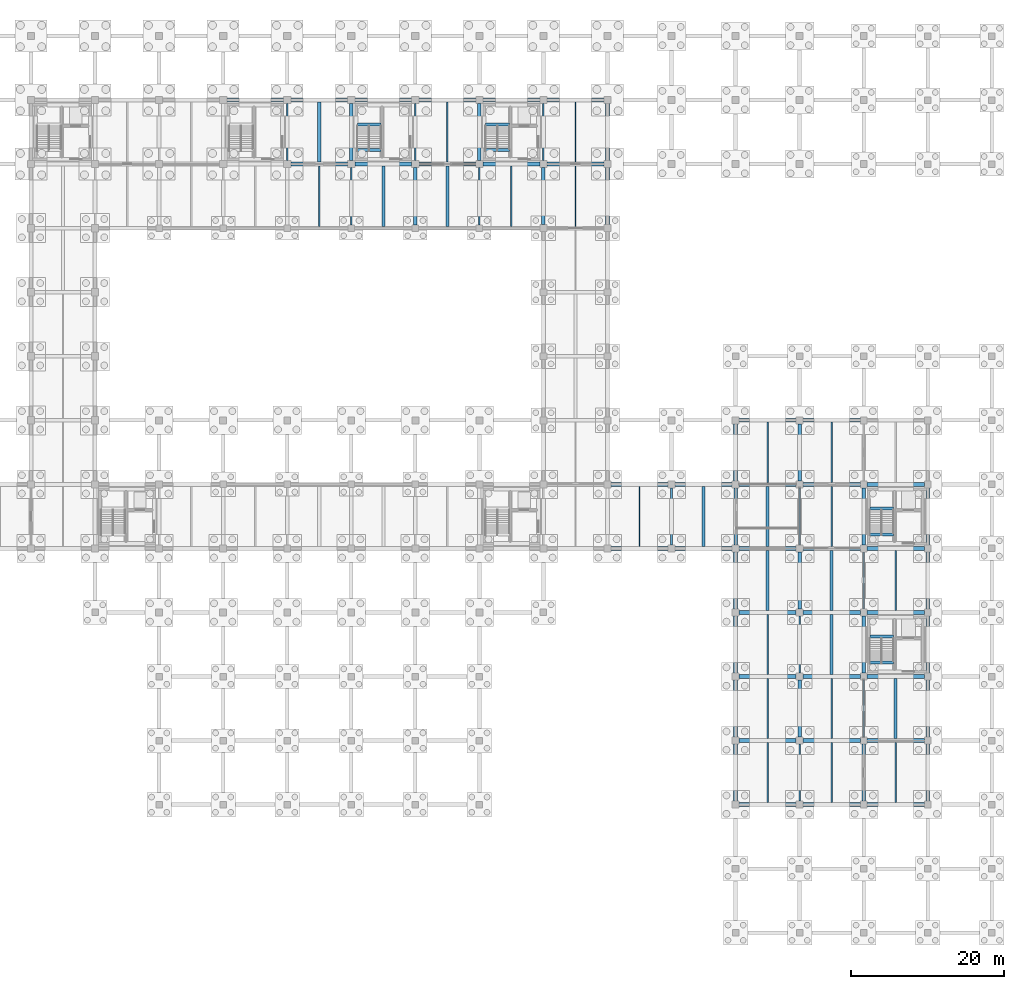
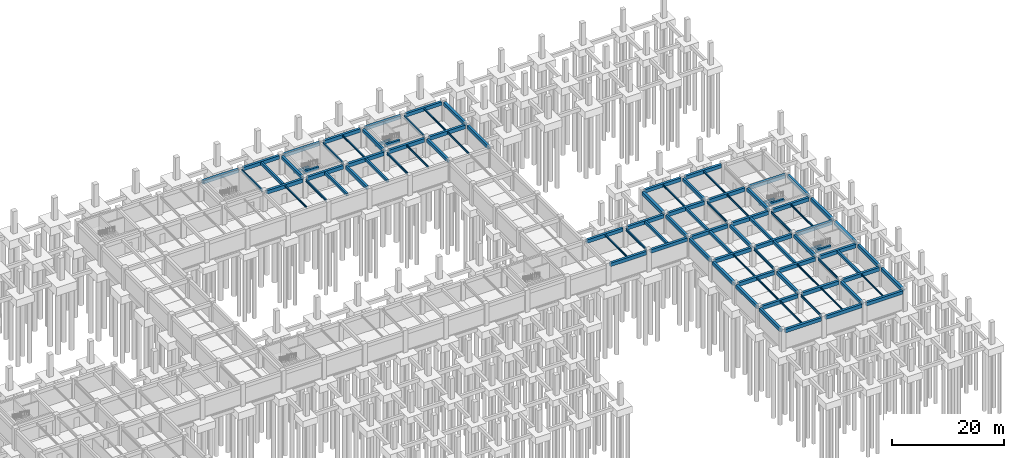
# One storey, part 15 of 29: 102 beams.
"""IFC4 building model written with IfcOpenShell, lengths in metres."""

from ifc_helpers import new_model, si_unit, direction, frame, origin, origin_2d, place, context, subcontext, project, spatial, rectangle, i_section, extrude, material, material_profile, profile_set, type_object, element, save


model = new_model("IFC4")

# Units and contexts
model_context = context("Model", 3, precision=1e-05, world=origin(), true_north=direction((0.0, 1.0)))
body_context = subcontext(model_context, "Body", "Model", "MODEL_VIEW")
ifc_project = project(units=[si_unit("LENGTHUNIT", "METRE"), si_unit("AREAUNIT", "SQUARE_METRE"), si_unit("VOLUMEUNIT", "CUBIC_METRE"), si_unit("PLANEANGLEUNIT", "RADIAN"), si_unit("MASSUNIT", "GRAM", prefix="KILO")], contexts=[model_context])

# Site, building, storey
site_placement = place(None, origin())
site = spatial("IfcSite", under=ifc_project, at=site_placement, CompositionType="ELEMENT")
building_placement = place(site_placement, origin())
building = spatial("IfcBuilding", under=site, at=building_placement, Name="Porcellanite Civic Hall", CompositionType="ELEMENT")
storey_placement = place(building_placement, frame((0.0, 0.0, -4.5)))
storey = spatial("IfcBuildingStorey", under=building, at=storey_placement, Name="B1", CompositionType="ELEMENT", Elevation=-4.5)

# Beams
ifc_material_1 = material(Name="Concrete N50 (50 MPa)", Category="concrete")
ifc_material_profile_1 = material_profile(ifc_material_1, rectangle(XDim=0.39990234375, YDim=0.550048828125, at=origin_2d()), Name="RC-400x550")
ifc_profile_set_1 = profile_set([ifc_material_profile_1], Name="Concrete N50 (50 MPa)")
beam_type_1 = type_object("IfcBeamType", Name="BM-RC550", PredefinedType="JOIST", material=ifc_profile_set_1)
for number, where, z_axis, x_axis, name in (
    (1, (105.0, 92.6494140625, 3.875), (0.0, 1.0, 0.0), (-1.0, 0.0, 0.0), "Secondary joist B1 13-12"),
    (2, (147.0, 50.6494140625, 3.875), (0.0, 1.0, 0.0), (-1.0, 0.0, 0.0), "Secondary joist B1 18-7"),
):
    element("IfcBeam", number, at=place(storey_placement, frame(where, z_axis=z_axis, x_axis=x_axis)), inside=storey, type_object=beam_type_1, Name=name, PredefinedType="JOIST", context=body_context, shape_type="SweptSolid", body=[
        extrude(rectangle(XDim=0.39990234375, YDim=0.550048828125, at=origin_2d()), origin(), (0.0, 0.0, 1.0), 7.901123046875),
    ])
beam_1_placement = place(storey_placement, frame((155.39990234375, 42.24951171875, 3.875), z_axis=(0.0, 1.0, 0.0), x_axis=(-1.0, 0.0, 0.0)))
element("IfcBeam", 3, at=beam_1_placement, inside=storey, type_object=beam_type_1, Name="Secondary joist B1 19-6", PredefinedType="JOIST", context=body_context, shape_type="SweptSolid", body=[
    extrude(rectangle(XDim=0.39990234375, YDim=0.550048828125, at=origin_2d()), origin(), (0.0, 0.0, 1.0), 7.90087890625),
])
for number, where, z_axis, x_axis, name in (
    (4, (110.010498046875, 106.02490234375, 1.885009765625), (1.0, 0.0, 0.0), (0.0, 1.0, 0.0), "Stair landing beam C4 B1"),
    (5, (110.010498046875, 102.64990234375, 3.875), (1.0, 0.0, 0.0), (0.0, 1.0, 0.0), "Stair header beam C4 B1"),
):
    element("IfcBeam", number, at=place(storey_placement, frame(where, z_axis=z_axis, x_axis=x_axis)), inside=storey, type_object=beam_type_1, Name=name, PredefinedType="JOIST", context=body_context, shape_type="SweptSolid", body=[
        extrude(rectangle(XDim=0.39990234375, YDim=0.550048828125, at=origin_2d()), origin(), (0.0, 0.0, 1.0), 3.10888671875),
    ])
for number, where, z_axis, x_axis, name in (
    (6, (160.410400390625, 38.824951171875, 1.885009765625), (1.0, 0.0, 0.0), (0.0, 1.0, 0.0), "Stair landing beam C7 B1"),
    (7, (160.410400390625, 35.449951171875, 3.875), (1.0, 0.0, 0.0), (0.0, 1.0, 0.0), "Stair header beam C7 B1"),
    (8, (160.410400390625, 55.625, 1.885009765625), (1.0, 0.0, 0.0), (0.0, 1.0, 0.0), "Stair landing beam C8 B1"),
    (9, (160.410400390625, 52.25, 3.875), (1.0, 0.0, 0.0), (0.0, 1.0, 0.0), "Stair header beam C8 B1"),
    (10, (93.21044921875, 106.02490234375, 1.885009765625), (1.0, 0.0, 0.0), (0.0, 1.0, 0.0), "Stair landing beam S10 B1"),
    (11, (93.21044921875, 102.64990234375, 3.875), (1.0, 0.0, 0.0), (0.0, 1.0, 0.0), "Stair header beam S10 B1"),
):
    element("IfcBeam", number, at=place(storey_placement, frame(where, z_axis=z_axis, x_axis=x_axis)), inside=storey, type_object=beam_type_1, Name=name, PredefinedType="JOIST", context=body_context, shape_type="SweptSolid", body=[
        extrude(rectangle(XDim=0.39990234375, YDim=0.550048828125, at=origin_2d()), origin(), (0.0, 0.0, 1.0), 3.109130859375),
    ])
ifc_material_2 = material(Name="Concrete N50 (50 MPa)", Category="concrete")
ifc_material_profile_2 = material_profile(ifc_material_2, rectangle(XDim=0.39990234375, YDim=0.60009765625, at=origin_2d()), Name="RC-400x600")
ifc_profile_set_2 = profile_set([ifc_material_profile_2], Name="Concrete N50 (50 MPa)")
beam_type_2 = type_object("IfcBeamType", Name="BM-RC600", PredefinedType="JOIST", material=ifc_profile_set_2)
beam_2_placement = place(storey_placement, frame((88.199951171875, 101.049560546875, 3.85009765625), z_axis=(0.0, 1.0, 0.0), x_axis=(-1.0, 0.0, 0.0)))
element("IfcBeam", 12, at=beam_2_placement, inside=storey, type_object=beam_type_2, Name="Secondary joist B1 11-13", PredefinedType="JOIST", context=body_context, shape_type="SweptSolid", body=[
    extrude(rectangle(XDim=0.39990234375, YDim=0.60009765625, at=origin_2d()), origin(), (0.0, 0.0, 1.0), 7.90087890625),
])
for number, where, z_axis, x_axis, name in (
    (13, (96.60009765625, 92.6494140625, 3.85009765625), (0.0, 1.0, 0.0), (-1.0, 0.0, 0.0), "Secondary joist B1 12-12"),
    (14, (138.60009765625, 50.6494140625, 3.85009765625), (0.0, 1.0, 0.0), (-1.0, 0.0, 0.0), "Secondary joist B1 17-7"),
):
    element("IfcBeam", number, at=place(storey_placement, frame(where, z_axis=z_axis, x_axis=x_axis)), inside=storey, type_object=beam_type_2, Name=name, PredefinedType="JOIST", context=body_context, shape_type="SweptSolid", body=[
        extrude(rectangle(XDim=0.39990234375, YDim=0.60009765625, at=origin_2d()), origin(), (0.0, 0.0, 1.0), 7.901123046875),
    ])
for number, where, z_axis, x_axis, name in (
    (15, (147.0, 42.24951171875, 3.85009765625), (0.0, 1.0, 0.0), (-1.0, 0.0, 0.0), "Secondary joist B1 18-6"),
    (16, (155.39990234375, 33.849609375, 3.85009765625), (0.0, 1.0, 0.0), (-1.0, 0.0, 0.0), "Secondary joist B1 19-5"),
):
    element("IfcBeam", number, at=place(storey_placement, frame(where, z_axis=z_axis, x_axis=x_axis)), inside=storey, type_object=beam_type_2, Name=name, PredefinedType="JOIST", context=body_context, shape_type="SweptSolid", body=[
        extrude(rectangle(XDim=0.39990234375, YDim=0.60009765625, at=origin_2d()), origin(), (0.0, 0.0, 1.0), 7.90087890625),
    ])
beam_3_placement = place(storey_placement, frame((163.800048828125, 25.449462890625, 3.85009765625), z_axis=(0.0, 1.0, 0.0), x_axis=(-1.0, 0.0, 0.0)))
element("IfcBeam", 17, at=beam_3_placement, inside=storey, type_object=beam_type_2, Name="Secondary joist B1 20-4", PredefinedType="JOIST", context=body_context, shape_type="SweptSolid", body=[
    extrude(rectangle(XDim=0.39990234375, YDim=0.60009765625, at=origin_2d()), origin(), (0.0, 0.0, 1.0), 7.901123046875),
])
ifc_material_3 = material(Name="Concrete N50 (50 MPa)", Category="concrete")
ifc_material_profile_3 = material_profile(ifc_material_3, rectangle(XDim=0.449951171875, YDim=0.699951171875, at=origin_2d()), Name="RC-450x700")
ifc_profile_set_3 = profile_set([ifc_material_profile_3], Name="Concrete N50 (50 MPa)")
beam_type_3 = type_object("IfcBeamType", Name="BM-RC700", PredefinedType="BEAM", material=ifc_profile_set_3)
beam_4_placement = place(storey_placement, frame((92.39990234375, 101.2744140625, 3.800048828125), z_axis=(0.0, 1.0, 0.0), x_axis=(-1.0, 0.0, 0.0)))
element("IfcBeam", 18, at=beam_4_placement, inside=storey, type_object=beam_type_3, Name="Beam Y B1 12-13", PredefinedType="BEAM", context=body_context, shape_type="SweptSolid", body=[
    extrude(rectangle(XDim=0.449951171875, YDim=0.699951171875, at=origin_2d()), origin(), (0.0, 0.0, 1.0), 7.451171875),
])
beam_5_placement = place(storey_placement, frame((100.800048828125, 92.824462890625, 3.800048828125), z_axis=(0.0, 1.0, 0.0), x_axis=(-1.0, 0.0, 0.0)))
element("IfcBeam", 19, at=beam_5_placement, inside=storey, type_object=beam_type_3, Name="Beam Y B1 13-12", PredefinedType="BEAM", context=body_context, shape_type="SweptSolid", body=[
    extrude(rectangle(XDim=0.449951171875, YDim=0.699951171875, at=origin_2d()), origin(), (0.0, 0.0, 1.0), 7.5009765625),
])
beam_6_placement = place(storey_placement, frame((109.199951171875, 101.2744140625, 3.800048828125), z_axis=(0.0, 1.0, 0.0), x_axis=(-1.0, 0.0, 0.0)))
element("IfcBeam", 20, at=beam_6_placement, inside=storey, type_object=beam_type_3, Name="Beam Y B1 14-13", PredefinedType="BEAM", context=body_context, shape_type="SweptSolid", body=[
    extrude(rectangle(XDim=0.449951171875, YDim=0.699951171875, at=origin_2d()), origin(), (0.0, 0.0, 1.0), 7.451171875),
])
beam_7_placement = place(storey_placement, frame((117.60009765625, 92.849609375, 3.800048828125), z_axis=(0.0, 1.0, 0.0), x_axis=(-1.0, 0.0, 0.0)))
element("IfcBeam", 21, at=beam_7_placement, inside=storey, type_object=beam_type_3, Name="Beam Y B1 15-12", PredefinedType="BEAM", context=body_context, shape_type="SweptSolid", body=[
    extrude(rectangle(XDim=0.449951171875, YDim=0.699951171875, at=origin_2d()), origin(), (0.0, 0.0, 1.0), 7.475830078125),
])
for number, where, z_axis, x_axis, name in (
    (22, (142.800048828125, 50.849609375, 3.800048828125), (0.0, 1.0, 0.0), (-1.0, 0.0, 0.0), "Beam Y B1 18-7"),
    (23, (151.199951171875, 25.6494140625, 3.800048828125), (0.0, 1.0, 0.0), (-1.0, 0.0, 0.0), "Beam Y B1 19-4"),
    (24, (151.199951171875, 42.449462890625, 3.800048828125), (0.0, 1.0, 0.0), (-1.0, 0.0, 0.0), "Beam Y B1 19-6"),
    (25, (151.199951171875, 59.24951171875, 3.800048828125), (0.0, 1.0, 0.0), (-1.0, 0.0, 0.0), "Beam Y B1 19-8"),
    (26, (159.60009765625, 17.24951171875, 3.800048828125), (0.0, 1.0, 0.0), (-1.0, 0.0, 0.0), "Beam Y B1 20-3"),
    (27, (159.60009765625, 34.049560546875, 3.800048828125), (0.0, 1.0, 0.0), (-1.0, 0.0, 0.0), "Beam Y B1 20-5"),
    (28, (159.60009765625, 50.849609375, 3.800048828125), (0.0, 1.0, 0.0), (-1.0, 0.0, 0.0), "Beam Y B1 20-7"),
):
    element("IfcBeam", number, at=place(storey_placement, frame(where, z_axis=z_axis, x_axis=x_axis)), inside=storey, type_object=beam_type_3, Name=name, PredefinedType="BEAM", context=body_context, shape_type="SweptSolid", body=[
        extrude(rectangle(XDim=0.449951171875, YDim=0.699951171875, at=origin_2d()), origin(), (0.0, 0.0, 1.0), 7.5009765625),
    ])
ifc_material_4 = material(Name="Concrete N50 (50 MPa)", Category="concrete")
ifc_material_profile_4 = material_profile(ifc_material_4, rectangle(XDim=0.5, YDim=0.75, at=origin_2d()), Name="RC-500x750")
ifc_profile_set_4 = profile_set([ifc_material_profile_4], Name="Concrete N50 (50 MPa)")
beam_type_4 = type_object("IfcBeamType", Name="BM-RC750", PredefinedType="SPANDREL", material=ifc_profile_set_4)
for number, where, z_axis, x_axis, name in (
    (29, (76.074462890625, 109.199951171875, 3.77490234375), (1.0, 0.0, 0.0), (0.0, 1.0, 0.0), "Beam X B1 10-14"),
    (30, (84.474609375, 109.199951171875, 3.77490234375), (1.0, 0.0, 0.0), (0.0, 1.0, 0.0), "Beam X B1 11-14"),
    (31, (92.87451171875, 109.199951171875, 3.77490234375), (1.0, 0.0, 0.0), (0.0, 1.0, 0.0), "Beam X B1 12-14"),
):
    element("IfcBeam", number, at=place(storey_placement, frame(where, z_axis=z_axis, x_axis=x_axis)), inside=storey, type_object=beam_type_4, Name=name, PredefinedType="SPANDREL", context=body_context, shape_type="SweptSolid", body=[
        extrude(rectangle(XDim=0.5, YDim=0.75, at=origin_2d()), origin(), (0.0, 0.0, 1.0), 7.450927734375),
    ])
beam_8_placement = place(storey_placement, frame((101.2744140625, 109.199951171875, 3.77490234375), z_axis=(1.0, 0.0, 0.0), x_axis=(0.0, 1.0, 0.0)))
element("IfcBeam", 32, at=beam_8_placement, inside=storey, type_object=beam_type_4, Name="Beam X B1 13-14", PredefinedType="SPANDREL", context=body_context, shape_type="SweptSolid", body=[
    extrude(rectangle(XDim=0.5, YDim=0.75, at=origin_2d()), origin(), (0.0, 0.0, 1.0), 7.451171875),
])
for number, where, z_axis, x_axis, name in (
    (33, (109.674560546875, 109.199951171875, 3.77490234375), (1.0, 0.0, 0.0), (0.0, 1.0, 0.0), "Beam X B1 14-14"),
    (34, (118.074462890625, 109.199951171875, 3.77490234375), (1.0, 0.0, 0.0), (0.0, 1.0, 0.0), "Beam X B1 15-14"),
):
    element("IfcBeam", number, at=place(storey_placement, frame(where, z_axis=z_axis, x_axis=x_axis)), inside=storey, type_object=beam_type_4, Name=name, PredefinedType="SPANDREL", context=body_context, shape_type="SweptSolid", body=[
        extrude(rectangle(XDim=0.5, YDim=0.75, at=origin_2d()), origin(), (0.0, 0.0, 1.0), 7.450927734375),
    ])
for number, where, z_axis, x_axis, name in (
    (35, (126.449462890625, 50.39990234375, 3.77490234375), (1.0, 0.0, 0.0), (0.0, 1.0, 0.0), "Beam X B1 16-7"),
    (36, (126.449462890625, 58.800048828125, 3.77490234375), (1.0, 0.0, 0.0), (0.0, 1.0, 0.0), "Beam X B1 16-8"),
    (37, (134.849609375, 50.39990234375, 3.77490234375), (1.0, 0.0, 0.0), (0.0, 1.0, 0.0), "Beam X B1 17-7"),
    (38, (134.849609375, 58.800048828125, 3.77490234375), (1.0, 0.0, 0.0), (0.0, 1.0, 0.0), "Beam X B1 17-8"),
    (39, (143.24951171875, 16.800048828125, 3.77490234375), (1.0, 0.0, 0.0), (0.0, 1.0, 0.0), "Beam X B1 18-3"),
    (40, (143.24951171875, 67.199951171875, 3.77490234375), (1.0, 0.0, 0.0), (0.0, 1.0, 0.0), "Beam X B1 18-9"),
    (41, (151.6494140625, 16.800048828125, 3.77490234375), (1.0, 0.0, 0.0), (0.0, 1.0, 0.0), "Beam X B1 19-3"),
    (42, (151.6494140625, 67.199951171875, 3.77490234375), (1.0, 0.0, 0.0), (0.0, 1.0, 0.0), "Beam X B1 19-9"),
    (43, (160.049560546875, 16.800048828125, 3.77490234375), (1.0, 0.0, 0.0), (0.0, 1.0, 0.0), "Beam X B1 20-3"),
):
    element("IfcBeam", number, at=place(storey_placement, frame(where, z_axis=z_axis, x_axis=x_axis)), inside=storey, type_object=beam_type_4, Name=name, PredefinedType="SPANDREL", context=body_context, shape_type="SweptSolid", body=[
        extrude(rectangle(XDim=0.5, YDim=0.75, at=origin_2d()), origin(), (0.0, 0.0, 1.0), 7.5009765625),
    ])
beam_9_placement = place(storey_placement, frame((126.0, 92.849609375, 3.77490234375), z_axis=(0.0, 1.0, 0.0), x_axis=(-1.0, 0.0, 0.0)))
element("IfcBeam", 44, at=beam_9_placement, inside=storey, type_object=beam_type_4, Name="Beam Y B1 16-12", PredefinedType="SPANDREL", context=body_context, shape_type="SweptSolid", body=[
    extrude(rectangle(XDim=0.5, YDim=0.75, at=origin_2d()), origin(), (0.0, 0.0, 1.0), 7.475830078125),
])
beam_10_placement = place(storey_placement, frame((126.0, 101.2744140625, 3.77490234375), z_axis=(0.0, 1.0, 0.0), x_axis=(-1.0, 0.0, 0.0)))
element("IfcBeam", 45, at=beam_10_placement, inside=storey, type_object=beam_type_4, Name="Beam Y B1 16-13", PredefinedType="SPANDREL", context=body_context, shape_type="SweptSolid", body=[
    extrude(rectangle(XDim=0.5, YDim=0.75, at=origin_2d()), origin(), (0.0, 0.0, 1.0), 7.451171875),
])
for number, where, z_axis, x_axis, name in (
    (46, (142.800048828125, 17.24951171875, 3.77490234375), (0.0, 1.0, 0.0), (-1.0, 0.0, 0.0), "Beam Y B1 18-3"),
    (47, (142.800048828125, 25.6494140625, 3.77490234375), (0.0, 1.0, 0.0), (-1.0, 0.0, 0.0), "Beam Y B1 18-4"),
    (48, (142.800048828125, 34.049560546875, 3.77490234375), (0.0, 1.0, 0.0), (-1.0, 0.0, 0.0), "Beam Y B1 18-5"),
    (49, (142.800048828125, 42.449462890625, 3.77490234375), (0.0, 1.0, 0.0), (-1.0, 0.0, 0.0), "Beam Y B1 18-6"),
    (50, (142.800048828125, 59.24951171875, 3.77490234375), (0.0, 1.0, 0.0), (-1.0, 0.0, 0.0), "Beam Y B1 18-8"),
    (51, (168.0, 17.24951171875, 3.77490234375), (0.0, 1.0, 0.0), (-1.0, 0.0, 0.0), "Beam Y B1 21-3"),
    (52, (168.0, 25.6494140625, 3.77490234375), (0.0, 1.0, 0.0), (-1.0, 0.0, 0.0), "Beam Y B1 21-4"),
    (53, (168.0, 34.049560546875, 3.77490234375), (0.0, 1.0, 0.0), (-1.0, 0.0, 0.0), "Beam Y B1 21-5"),
    (54, (168.0, 42.449462890625, 3.77490234375), (0.0, 1.0, 0.0), (-1.0, 0.0, 0.0), "Beam Y B1 21-6"),
    (55, (168.0, 50.849609375, 3.77490234375), (0.0, 1.0, 0.0), (-1.0, 0.0, 0.0), "Beam Y B1 21-7"),
):
    element("IfcBeam", number, at=place(storey_placement, frame(where, z_axis=z_axis, x_axis=x_axis)), inside=storey, type_object=beam_type_4, Name=name, PredefinedType="SPANDREL", context=body_context, shape_type="SweptSolid", body=[
        extrude(rectangle(XDim=0.5, YDim=0.75, at=origin_2d()), origin(), (0.0, 0.0, 1.0), 7.5009765625),
    ])
ifc_material_5 = material(Name="Concrete N50 (50 MPa)", Category="concrete")
ifc_material_profile_5 = material_profile(ifc_material_5, rectangle(XDim=0.5, YDim=0.800048828125, at=origin_2d()), Name="RC-500x800")
ifc_profile_set_5 = profile_set([ifc_material_profile_5], Name="Concrete N50 (50 MPa)")
beam_type_5 = type_object("IfcBeamType", Name="BM-RC800", PredefinedType="BEAM", material=ifc_profile_set_5)
for number, where, z_axis, x_axis, name in (
    (56, (84.474609375, 100.800048828125, 3.75), (1.0, 0.0, 0.0), (0.0, 1.0, 0.0), "Beam X B1 11-13"),
    (57, (92.87451171875, 100.800048828125, 3.75), (1.0, 0.0, 0.0), (0.0, 1.0, 0.0), "Beam X B1 12-13"),
):
    element("IfcBeam", number, at=place(storey_placement, frame(where, z_axis=z_axis, x_axis=x_axis)), inside=storey, type_object=beam_type_5, Name=name, PredefinedType="BEAM", context=body_context, shape_type="SweptSolid", body=[
        extrude(rectangle(XDim=0.5, YDim=0.800048828125, at=origin_2d()), origin(), (0.0, 0.0, 1.0), 7.450927734375),
    ])
beam_11_placement = place(storey_placement, frame((101.2744140625, 100.800048828125, 3.75), z_axis=(1.0, 0.0, 0.0), x_axis=(0.0, 1.0, 0.0)))
element("IfcBeam", 58, at=beam_11_placement, inside=storey, type_object=beam_type_5, Name="Beam X B1 13-13", PredefinedType="BEAM", context=body_context, shape_type="SweptSolid", body=[
    extrude(rectangle(XDim=0.5, YDim=0.800048828125, at=origin_2d()), origin(), (0.0, 0.0, 1.0), 7.451171875),
])
for number, where, z_axis, x_axis, name in (
    (59, (109.674560546875, 100.800048828125, 3.75), (1.0, 0.0, 0.0), (0.0, 1.0, 0.0), "Beam X B1 14-13"),
    (60, (118.074462890625, 100.800048828125, 3.75), (1.0, 0.0, 0.0), (0.0, 1.0, 0.0), "Beam X B1 15-13"),
):
    element("IfcBeam", number, at=place(storey_placement, frame(where, z_axis=z_axis, x_axis=x_axis)), inside=storey, type_object=beam_type_5, Name=name, PredefinedType="BEAM", context=body_context, shape_type="SweptSolid", body=[
        extrude(rectangle(XDim=0.5, YDim=0.800048828125, at=origin_2d()), origin(), (0.0, 0.0, 1.0), 7.450927734375),
    ])
for number, where, z_axis, x_axis, name in (
    (61, (143.24951171875, 25.199951171875, 3.75), (1.0, 0.0, 0.0), (0.0, 1.0, 0.0), "Beam X B1 18-4"),
    (62, (143.24951171875, 33.60009765625, 3.75), (1.0, 0.0, 0.0), (0.0, 1.0, 0.0), "Beam X B1 18-5"),
    (63, (143.24951171875, 42.0, 3.75), (1.0, 0.0, 0.0), (0.0, 1.0, 0.0), "Beam X B1 18-6"),
    (64, (143.24951171875, 50.39990234375, 3.75), (1.0, 0.0, 0.0), (0.0, 1.0, 0.0), "Beam X B1 18-7"),
    (65, (143.24951171875, 58.800048828125, 3.75), (1.0, 0.0, 0.0), (0.0, 1.0, 0.0), "Beam X B1 18-8"),
    (66, (151.6494140625, 25.199951171875, 3.75), (1.0, 0.0, 0.0), (0.0, 1.0, 0.0), "Beam X B1 19-4"),
    (67, (151.6494140625, 33.60009765625, 3.75), (1.0, 0.0, 0.0), (0.0, 1.0, 0.0), "Beam X B1 19-5"),
    (68, (151.6494140625, 42.0, 3.75), (1.0, 0.0, 0.0), (0.0, 1.0, 0.0), "Beam X B1 19-6"),
    (69, (151.6494140625, 50.39990234375, 3.75), (1.0, 0.0, 0.0), (0.0, 1.0, 0.0), "Beam X B1 19-7"),
    (70, (151.6494140625, 58.800048828125, 3.75), (1.0, 0.0, 0.0), (0.0, 1.0, 0.0), "Beam X B1 19-8"),
    (71, (160.049560546875, 25.199951171875, 3.75), (1.0, 0.0, 0.0), (0.0, 1.0, 0.0), "Beam X B1 20-4"),
    (72, (160.049560546875, 33.60009765625, 3.75), (1.0, 0.0, 0.0), (0.0, 1.0, 0.0), "Beam X B1 20-5"),
    (73, (160.049560546875, 42.0, 3.75), (1.0, 0.0, 0.0), (0.0, 1.0, 0.0), "Beam X B1 20-6"),
    (74, (160.049560546875, 50.39990234375, 3.75), (1.0, 0.0, 0.0), (0.0, 1.0, 0.0), "Beam X B1 20-7"),
    (75, (160.049560546875, 58.800048828125, 3.75), (1.0, 0.0, 0.0), (0.0, 1.0, 0.0), "Beam X B1 20-8"),
):
    element("IfcBeam", number, at=place(storey_placement, frame(where, z_axis=z_axis, x_axis=x_axis)), inside=storey, type_object=beam_type_5, Name=name, PredefinedType="BEAM", context=body_context, shape_type="SweptSolid", body=[
        extrude(rectangle(XDim=0.5, YDim=0.800048828125, at=origin_2d()), origin(), (0.0, 0.0, 1.0), 7.5009765625),
    ])
ifc_material_6 = material(Name="Steel Grade 350", Category="steel")
ifc_material_profile_6 = material_profile(ifc_material_6, i_section(OverallWidth=0.1708984375, OverallDepth=0.35595703125, WebThickness=0.00732421875, FlangeThickness=0.011474609375, FilletRadius=0.011474609375, at=origin_2d()), Name="360UB50.7")
ifc_profile_set_6 = profile_set([ifc_material_profile_6], Name="Steel Grade 350")
beam_type_6 = type_object("IfcBeamType", Name="JST-360UB51", PredefinedType="JOIST", material=ifc_profile_set_6)
for number, where, z_axis, x_axis, name in (
    (76, (88.199951171875, 92.6494140625, 3.971923828125), (0.0, 1.0, 0.0), (-1.0, 0.0, 0.0), "Secondary joist B1 11-12"),
    (77, (130.199951171875, 50.6494140625, 3.971923828125), (0.0, 1.0, 0.0), (-1.0, 0.0, 0.0), "Secondary joist B1 16-7"),
):
    element("IfcBeam", number, at=place(storey_placement, frame(where, z_axis=z_axis, x_axis=x_axis)), inside=storey, type_object=beam_type_6, Name=name, PredefinedType="JOIST", context=body_context, shape_type="SweptSolid", body=[
        extrude(i_section(OverallWidth=0.1708984375, OverallDepth=0.35595703125, WebThickness=0.00732421875, FlangeThickness=0.011474609375, FilletRadius=0.011474609375, at=origin_2d()), origin(), (0.0, 0.0, 1.0), 7.901123046875),
    ])
beam_12_placement = place(storey_placement, frame((147.0, 33.849609375, 3.971923828125), z_axis=(0.0, 1.0, 0.0), x_axis=(-1.0, 0.0, 0.0)))
element("IfcBeam", 78, at=beam_12_placement, inside=storey, type_object=beam_type_6, Name="Secondary joist B1 18-5", PredefinedType="JOIST", context=body_context, shape_type="SweptSolid", body=[
    extrude(i_section(OverallWidth=0.1708984375, OverallDepth=0.35595703125, WebThickness=0.00732421875, FlangeThickness=0.011474609375, FilletRadius=0.011474609375, at=origin_2d()), origin(), (0.0, 0.0, 1.0), 7.90087890625),
])
beam_13_placement = place(storey_placement, frame((155.39990234375, 25.449462890625, 3.971923828125), z_axis=(0.0, 1.0, 0.0), x_axis=(-1.0, 0.0, 0.0)))
element("IfcBeam", 79, at=beam_13_placement, inside=storey, type_object=beam_type_6, Name="Secondary joist B1 19-4", PredefinedType="JOIST", context=body_context, shape_type="SweptSolid", body=[
    extrude(i_section(OverallWidth=0.1708984375, OverallDepth=0.35595703125, WebThickness=0.00732421875, FlangeThickness=0.011474609375, FilletRadius=0.011474609375, at=origin_2d()), origin(), (0.0, 0.0, 1.0), 7.901123046875),
])
beam_14_placement = place(storey_placement, frame((163.800048828125, 17.049560546875, 3.971923828125), z_axis=(0.0, 1.0, 0.0), x_axis=(-1.0, 0.0, 0.0)))
element("IfcBeam", 80, at=beam_14_placement, inside=storey, type_object=beam_type_6, Name="Secondary joist B1 20-3", PredefinedType="JOIST", context=body_context, shape_type="SweptSolid", body=[
    extrude(i_section(OverallWidth=0.1708984375, OverallDepth=0.35595703125, WebThickness=0.00732421875, FlangeThickness=0.011474609375, FilletRadius=0.011474609375, at=origin_2d()), origin(), (0.0, 0.0, 1.0), 7.90087890625),
])
ifc_material_7 = material(Name="Steel Grade 350", Category="steel")
ifc_material_profile_7 = material_profile(ifc_material_7, i_section(OverallWidth=0.172119140625, OverallDepth=0.35888671875, WebThickness=0.008056640625, FlangeThickness=0.012939453125, FilletRadius=0.011474609375, at=origin_2d()), Name="360UB56.7")
ifc_profile_set_7 = profile_set([ifc_material_profile_7], Name="Steel Grade 350")
beam_type_7 = type_object("IfcBeamType", Name="JST-360UB57", PredefinedType="JOIST", material=ifc_profile_set_7)
beam_15_placement = place(storey_placement, frame((121.800048828125, 101.049560546875, 3.970458984375), z_axis=(0.0, 1.0, 0.0), x_axis=(-1.0, 0.0, 0.0)))
element("IfcBeam", 81, at=beam_15_placement, inside=storey, type_object=beam_type_7, Name="Secondary joist B1 15-13", PredefinedType="JOIST", context=body_context, shape_type="SweptSolid", body=[
    extrude(i_section(OverallWidth=0.172119140625, OverallDepth=0.35888671875, WebThickness=0.008056640625, FlangeThickness=0.012939453125, FilletRadius=0.011474609375, at=origin_2d()), origin(), (0.0, 0.0, 1.0), 7.90087890625),
])
beam_16_placement = place(storey_placement, frame((147.0, 25.449462890625, 3.970458984375), z_axis=(0.0, 1.0, 0.0), x_axis=(-1.0, 0.0, 0.0)))
element("IfcBeam", 82, at=beam_16_placement, inside=storey, type_object=beam_type_7, Name="Secondary joist B1 18-4", PredefinedType="JOIST", context=body_context, shape_type="SweptSolid", body=[
    extrude(i_section(OverallWidth=0.172119140625, OverallDepth=0.35888671875, WebThickness=0.008056640625, FlangeThickness=0.012939453125, FilletRadius=0.011474609375, at=origin_2d()), origin(), (0.0, 0.0, 1.0), 7.901123046875),
])
beam_17_placement = place(storey_placement, frame((155.39990234375, 17.049560546875, 3.970458984375), z_axis=(0.0, 1.0, 0.0), x_axis=(-1.0, 0.0, 0.0)))
element("IfcBeam", 83, at=beam_17_placement, inside=storey, type_object=beam_type_7, Name="Secondary joist B1 19-3", PredefinedType="JOIST", context=body_context, shape_type="SweptSolid", body=[
    extrude(i_section(OverallWidth=0.172119140625, OverallDepth=0.35888671875, WebThickness=0.008056640625, FlangeThickness=0.012939453125, FilletRadius=0.011474609375, at=origin_2d()), origin(), (0.0, 0.0, 1.0), 7.90087890625),
])
ifc_material_8 = material(Name="Steel Grade 350", Category="steel")
ifc_material_profile_8 = material_profile(ifc_material_8, i_section(OverallWidth=0.177978515625, OverallDepth=0.403076171875, WebThickness=0.007568359375, FlangeThickness=0.010986328125, FilletRadius=0.011474609375, at=origin_2d()), Name="410UB53.7")
ifc_profile_set_8 = profile_set([ifc_material_profile_8], Name="Steel Grade 350")
beam_type_8 = type_object("IfcBeamType", Name="JST-410UB54", PredefinedType="JOIST", material=ifc_profile_set_8)
beam_18_placement = place(storey_placement, frame((121.800048828125, 92.6494140625, 3.948486328125), z_axis=(0.0, 1.0, 0.0), x_axis=(-1.0, 0.0, 0.0)))
element("IfcBeam", 84, at=beam_18_placement, inside=storey, type_object=beam_type_8, Name="Secondary joist B1 15-12", PredefinedType="JOIST", context=body_context, shape_type="SweptSolid", body=[
    extrude(i_section(OverallWidth=0.177978515625, OverallDepth=0.403076171875, WebThickness=0.007568359375, FlangeThickness=0.010986328125, FilletRadius=0.011474609375, at=origin_2d()), origin(), (0.0, 0.0, 1.0), 7.901123046875),
])
for number, where, z_axis, x_axis, name in (
    (85, (147.0, 17.049560546875, 3.948486328125), (0.0, 1.0, 0.0), (-1.0, 0.0, 0.0), "Secondary joist B1 18-3"),
    (86, (155.39990234375, 59.049560546875, 3.948486328125), (0.0, 1.0, 0.0), (-1.0, 0.0, 0.0), "Secondary joist B1 19-8"),
):
    element("IfcBeam", number, at=place(storey_placement, frame(where, z_axis=z_axis, x_axis=x_axis)), inside=storey, type_object=beam_type_8, Name=name, PredefinedType="JOIST", context=body_context, shape_type="SweptSolid", body=[
        extrude(i_section(OverallWidth=0.177978515625, OverallDepth=0.403076171875, WebThickness=0.007568359375, FlangeThickness=0.010986328125, FilletRadius=0.011474609375, at=origin_2d()), origin(), (0.0, 0.0, 1.0), 7.90087890625),
    ])
ifc_material_9 = material(Name="Steel Grade 350", Category="steel")
ifc_material_profile_9 = material_profile(ifc_material_9, i_section(OverallWidth=0.177978515625, OverallDepth=0.406005859375, WebThickness=0.0078125, FlangeThickness=0.0126953125, FilletRadius=0.011474609375, at=origin_2d()), Name="410UB59.7")
ifc_profile_set_9 = profile_set([ifc_material_profile_9], Name="Steel Grade 350")
beam_type_9 = type_object("IfcBeamType", Name="JST-410UB60", PredefinedType="JOIST", material=ifc_profile_set_9)
beam_19_placement = place(storey_placement, frame((105.0, 101.049560546875, 3.947021484375), z_axis=(0.0, 1.0, 0.0), x_axis=(-1.0, 0.0, 0.0)))
element("IfcBeam", 87, at=beam_19_placement, inside=storey, type_object=beam_type_9, Name="Secondary joist B1 13-13", PredefinedType="JOIST", context=body_context, shape_type="SweptSolid", body=[
    extrude(i_section(OverallWidth=0.177978515625, OverallDepth=0.406005859375, WebThickness=0.0078125, FlangeThickness=0.0126953125, FilletRadius=0.011474609375, at=origin_2d()), origin(), (0.0, 0.0, 1.0), 7.90087890625),
])
beam_20_placement = place(storey_placement, frame((113.39990234375, 92.6494140625, 3.947021484375), z_axis=(0.0, 1.0, 0.0), x_axis=(-1.0, 0.0, 0.0)))
element("IfcBeam", 88, at=beam_20_placement, inside=storey, type_object=beam_type_9, Name="Secondary joist B1 14-12", PredefinedType="JOIST", context=body_context, shape_type="SweptSolid", body=[
    extrude(i_section(OverallWidth=0.177978515625, OverallDepth=0.406005859375, WebThickness=0.0078125, FlangeThickness=0.0126953125, FilletRadius=0.011474609375, at=origin_2d()), origin(), (0.0, 0.0, 1.0), 7.901123046875),
])
beam_21_placement = place(storey_placement, frame((147.0, 59.049560546875, 3.947021484375), z_axis=(0.0, 1.0, 0.0), x_axis=(-1.0, 0.0, 0.0)))
element("IfcBeam", 89, at=beam_21_placement, inside=storey, type_object=beam_type_9, Name="Secondary joist B1 18-8", PredefinedType="JOIST", context=body_context, shape_type="SweptSolid", body=[
    extrude(i_section(OverallWidth=0.177978515625, OverallDepth=0.406005859375, WebThickness=0.0078125, FlangeThickness=0.0126953125, FilletRadius=0.011474609375, at=origin_2d()), origin(), (0.0, 0.0, 1.0), 7.90087890625),
])
beam_22_placement = place(storey_placement, frame((155.39990234375, 50.6494140625, 3.947021484375), z_axis=(0.0, 1.0, 0.0), x_axis=(-1.0, 0.0, 0.0)))
element("IfcBeam", 90, at=beam_22_placement, inside=storey, type_object=beam_type_9, Name="Secondary joist B1 19-7", PredefinedType="JOIST", context=body_context, shape_type="SweptSolid", body=[
    extrude(i_section(OverallWidth=0.177978515625, OverallDepth=0.406005859375, WebThickness=0.0078125, FlangeThickness=0.0126953125, FilletRadius=0.011474609375, at=origin_2d()), origin(), (0.0, 0.0, 1.0), 7.901123046875),
])
beam_23_placement = place(storey_placement, frame((163.800048828125, 42.24951171875, 3.947021484375), z_axis=(0.0, 1.0, 0.0), x_axis=(-1.0, 0.0, 0.0)))
element("IfcBeam", 91, at=beam_23_placement, inside=storey, type_object=beam_type_9, Name="Secondary joist B1 20-6", PredefinedType="JOIST", context=body_context, shape_type="SweptSolid", body=[
    extrude(i_section(OverallWidth=0.177978515625, OverallDepth=0.406005859375, WebThickness=0.0078125, FlangeThickness=0.0126953125, FilletRadius=0.011474609375, at=origin_2d()), origin(), (0.0, 0.0, 1.0), 7.90087890625),
])
ifc_material_10 = material(Name="Steel Grade 350", Category="steel")
ifc_material_profile_10 = material_profile(ifc_material_10, i_section(OverallWidth=0.208984375, OverallDepth=0.528076171875, WebThickness=0.009521484375, FlangeThickness=0.01318359375, FilletRadius=0.013916015625, at=origin_2d()), Name="530UB82.0")
ifc_profile_set_10 = profile_set([ifc_material_profile_10], Name="Steel Grade 350")
beam_type_10 = type_object("IfcBeamType", Name="RAF-530UB82", PredefinedType="BEAM", material=ifc_profile_set_10)
beam_24_placement = place(storey_placement, frame((84.0, 101.2744140625, 3.885986328125), z_axis=(0.0, 1.0, 0.0), x_axis=(-1.0, 0.0, 0.0)))
element("IfcBeam", 92, at=beam_24_placement, inside=storey, type_object=beam_type_10, Name="Beam Y B1 11-13", PredefinedType="BEAM", context=body_context, shape_type="SweptSolid", body=[
    extrude(i_section(OverallWidth=0.208984375, OverallDepth=0.528076171875, WebThickness=0.009521484375, FlangeThickness=0.01318359375, FilletRadius=0.013916015625, at=origin_2d()), origin(), (0.0, 0.0, 1.0), 7.451171875),
])
beam_25_placement = place(storey_placement, frame((92.39990234375, 92.824462890625, 3.885986328125), z_axis=(0.0, 1.0, 0.0), x_axis=(-1.0, 0.0, 0.0)))
element("IfcBeam", 93, at=beam_25_placement, inside=storey, type_object=beam_type_10, Name="Beam Y B1 12-12", PredefinedType="BEAM", context=body_context, shape_type="SweptSolid", body=[
    extrude(i_section(OverallWidth=0.208984375, OverallDepth=0.528076171875, WebThickness=0.009521484375, FlangeThickness=0.01318359375, FilletRadius=0.013916015625, at=origin_2d()), origin(), (0.0, 0.0, 1.0), 7.5009765625),
])
beam_26_placement = place(storey_placement, frame((100.800048828125, 101.2744140625, 3.885986328125), z_axis=(0.0, 1.0, 0.0), x_axis=(-1.0, 0.0, 0.0)))
element("IfcBeam", 94, at=beam_26_placement, inside=storey, type_object=beam_type_10, Name="Beam Y B1 13-13", PredefinedType="BEAM", context=body_context, shape_type="SweptSolid", body=[
    extrude(i_section(OverallWidth=0.208984375, OverallDepth=0.528076171875, WebThickness=0.009521484375, FlangeThickness=0.01318359375, FilletRadius=0.013916015625, at=origin_2d()), origin(), (0.0, 0.0, 1.0), 7.451171875),
])
beam_27_placement = place(storey_placement, frame((109.199951171875, 92.824462890625, 3.885986328125), z_axis=(0.0, 1.0, 0.0), x_axis=(-1.0, 0.0, 0.0)))
element("IfcBeam", 95, at=beam_27_placement, inside=storey, type_object=beam_type_10, Name="Beam Y B1 14-12", PredefinedType="BEAM", context=body_context, shape_type="SweptSolid", body=[
    extrude(i_section(OverallWidth=0.208984375, OverallDepth=0.528076171875, WebThickness=0.009521484375, FlangeThickness=0.01318359375, FilletRadius=0.013916015625, at=origin_2d()), origin(), (0.0, 0.0, 1.0), 7.5009765625),
])
beam_28_placement = place(storey_placement, frame((117.60009765625, 101.2744140625, 3.885986328125), z_axis=(0.0, 1.0, 0.0), x_axis=(-1.0, 0.0, 0.0)))
element("IfcBeam", 96, at=beam_28_placement, inside=storey, type_object=beam_type_10, Name="Beam Y B1 15-13", PredefinedType="BEAM", context=body_context, shape_type="SweptSolid", body=[
    extrude(i_section(OverallWidth=0.208984375, OverallDepth=0.528076171875, WebThickness=0.009521484375, FlangeThickness=0.01318359375, FilletRadius=0.013916015625, at=origin_2d()), origin(), (0.0, 0.0, 1.0), 7.451171875),
])
for number, where, z_axis, x_axis, name in (
    (97, (134.39990234375, 50.849609375, 3.885986328125), (0.0, 1.0, 0.0), (-1.0, 0.0, 0.0), "Beam Y B1 17-7"),
    (98, (151.199951171875, 17.24951171875, 3.885986328125), (0.0, 1.0, 0.0), (-1.0, 0.0, 0.0), "Beam Y B1 19-3"),
    (99, (151.199951171875, 34.049560546875, 3.885986328125), (0.0, 1.0, 0.0), (-1.0, 0.0, 0.0), "Beam Y B1 19-5"),
    (100, (151.199951171875, 50.849609375, 3.885986328125), (0.0, 1.0, 0.0), (-1.0, 0.0, 0.0), "Beam Y B1 19-7"),
    (101, (159.60009765625, 25.6494140625, 3.885986328125), (0.0, 1.0, 0.0), (-1.0, 0.0, 0.0), "Beam Y B1 20-4"),
    (102, (159.60009765625, 42.449462890625, 3.885986328125), (0.0, 1.0, 0.0), (-1.0, 0.0, 0.0), "Beam Y B1 20-6"),
):
    element("IfcBeam", number, at=place(storey_placement, frame(where, z_axis=z_axis, x_axis=x_axis)), inside=storey, type_object=beam_type_10, Name=name, PredefinedType="BEAM", context=body_context, shape_type="SweptSolid", body=[
        extrude(i_section(OverallWidth=0.208984375, OverallDepth=0.528076171875, WebThickness=0.009521484375, FlangeThickness=0.01318359375, FilletRadius=0.013916015625, at=origin_2d()), origin(), (0.0, 0.0, 1.0), 7.5009765625),
    ])

save(model, "model.ifc")
